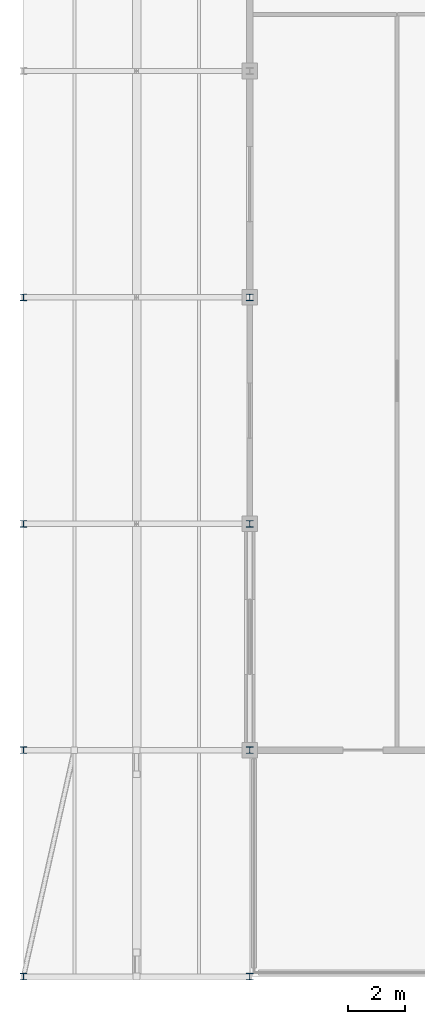
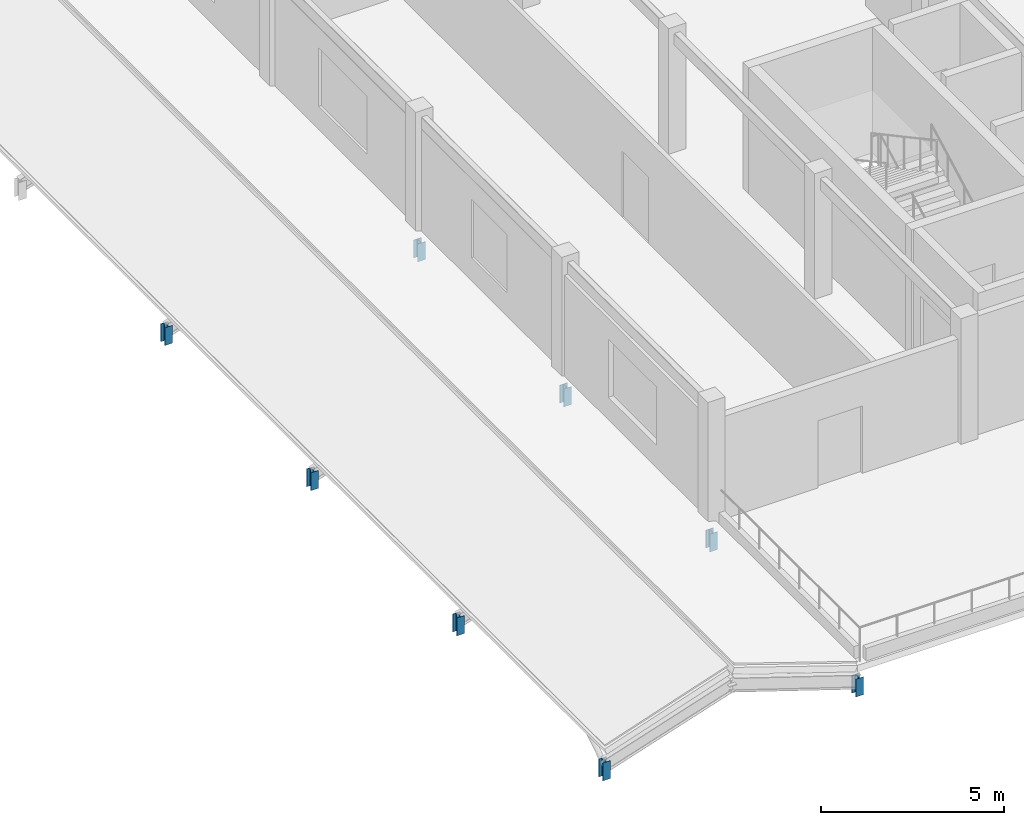
# One storey, part 2 of 9: 8 members.
"""IFC4 building model written with IfcOpenShell, lengths in metres."""

import ifcopenshell
import ifcopenshell.guid

model = None  # the IFC model being written
_history = None  # IfcOwnerHistory: only IFC2X3 demands one
_inside = {}  # id of a spatial element -> (the spatial element, [elements in it])
_under = {}  # id of a project, library or spatial element -> (it, [spatial elements below it])
_declared = {}  # id of a project -> (the project, [libraries it declares])
_typed = {}  # id of a type object -> (the type object, [elements of that type])
_made_of = {}  # id of a material, layer set ... -> (it, [elements and type objects made of it])


def new_model(schema):
    """Start an empty IFC model of exactly this schema.

    Asked for "IFC4X3", IfcOpenShell would pick the latest addendum, in which some entities
    have other attributes; the version numbers below select the first issue.
    IFC2X3 requires an IfcOwnerHistory on every rooted entity: one is made here for all.
    """
    global model, _history
    if schema == "IFC4X3":
        model = ifcopenshell.file(schema_version=(4, 3, 0, 0))
    else:
        model = ifcopenshell.file(schema=schema)
    _inside.clear()
    _under.clear()
    _declared.clear()
    _typed.clear()
    _made_of.clear()
    _history = None
    if model.schema == "IFC2X3":
        org = make("IfcOrganization", Name="unknown")
        user = make(
            "IfcPersonAndOrganization",
            ThePerson=make("IfcPerson", FamilyName="unknown"),
            TheOrganization=org,
        )
        app = make(
            "IfcApplication",
            ApplicationDeveloper=org,
            Version="unknown",
            ApplicationFullName="unknown",
            ApplicationIdentifier="unknown",
        )
        _history = make(
            "IfcOwnerHistory",
            OwningUser=user,
            OwningApplication=app,
            ChangeAction="ADDED",
            CreationDate=0,
        )
    return model


def make(cls, **values):
    """One entity of the class cls with the attributes given. An attribute that is None is left unset."""
    return model.create_entity(
        cls, **{name: value for name, value in values.items() if value is not None}
    )


def rooted(cls, **values):
    """An entity with a GlobalId (a new one), such as an element, a storey or a relation."""
    return make(cls, GlobalId=ifcopenshell.guid.new(), OwnerHistory=_history, **values)


def si_unit(unit_type, name, prefix=None):
    """IfcSIUnit, for example si_unit("LENGTHUNIT", "METRE", prefix="MILLI")."""
    return make("IfcSIUnit", UnitType=unit_type, Prefix=prefix, Name=name)


def assignment(units):
    """IfcUnitAssignment: the units of a project."""
    return None if units is None else make("IfcUnitAssignment", Units=units)


def point(xyz):
    """IfcCartesianPoint."""
    return None if xyz is None else make("IfcCartesianPoint", Coordinates=xyz)


def direction(xyz):
    """IfcDirection."""
    return None if xyz is None else make("IfcDirection", DirectionRatios=xyz)


def frame(location, z_axis=None, x_axis=None):
    """IfcAxis2Placement3D, a coordinate frame: its origin and axes. An axis left out is left unset."""
    return make(
        "IfcAxis2Placement3D",
        Location=point(location),
        Axis=direction(z_axis),
        RefDirection=direction(x_axis),
    )


def frame_2d(location, x_axis=None):
    """IfcAxis2Placement2D, a coordinate frame in the plane: its origin and x axis."""
    return make(
        "IfcAxis2Placement2D", Location=point(location), RefDirection=direction(x_axis)
    )


def origin():
    """The frame at (0, 0, 0) with its axes left unset."""
    return frame((0.0, 0.0, 0.0))


def origin_2d():
    """The frame at (0, 0) in the plane with its x axis left unset."""
    return frame_2d((0.0, 0.0))


def place(relative_to, where):
    """IfcLocalPlacement: puts the frame where relative to a parent placement (None: the world)."""
    return make(
        "IfcLocalPlacement", PlacementRelTo=relative_to, RelativePlacement=where
    )


def context(
    kind, dimensions, precision=None, world=None, true_north=None, identifier=None
):
    """IfcGeometricRepresentationContext, for example the 3D "Model" context."""
    return make(
        "IfcGeometricRepresentationContext",
        ContextIdentifier=identifier,
        ContextType=kind,
        CoordinateSpaceDimension=dimensions,
        Precision=precision,
        WorldCoordinateSystem=world,
        TrueNorth=true_north,
    )


def subcontext(parent, identifier, kind, view, scale=None):
    """IfcGeometricRepresentationSubContext, for example "Body" below "Model"."""
    return make(
        "IfcGeometricRepresentationSubContext",
        ContextIdentifier=identifier,
        ContextType=kind,
        ParentContext=parent,
        TargetScale=scale,
        TargetView=view,
    )


def project(units=None, contexts=None):
    """IfcProject with its units and contexts."""
    return rooted(
        "IfcProject",
        Name="project",
        RepresentationContexts=contexts,
        UnitsInContext=assignment(units),
    )


def spatial(cls, under=None, at=None, **own):
    """A site, building, storey or space (cls), placed at a placement, below another one or the project."""
    s = rooted(cls, ObjectPlacement=at, **own)
    if under is not None:
        _under.setdefault(under.id(), (under, []))[1].append(s)
    return s


def profile(cls, at=None, kind="AREA", **sizes):
    """A parametric profile (cls). Its sizes go by their IFC names, for example OverallWidth=200.0."""
    return make(cls, ProfileType=kind, Position=at, **sizes)


def i_section(**sizes):
    """IfcIShapeProfileDef."""
    return profile("IfcIShapeProfileDef", **sizes)


def extrude(swept, where, along, depth):
    """IfcExtrudedAreaSolid: the profile swept, set in the frame where, extruded along a direction by depth."""
    return make(
        "IfcExtrudedAreaSolid",
        SweptArea=swept,
        Position=where,
        ExtrudedDirection=direction(along),
        Depth=depth,
    )


def shape(context_of_items, identifier, shape_type, items):
    """IfcShapeRepresentation: the items that make up one representation, for example the "Body"."""
    return make(
        "IfcShapeRepresentation",
        ContextOfItems=context_of_items,
        RepresentationIdentifier=identifier,
        RepresentationType=shape_type,
        Items=items,
    )


def material(Name=None, Category=None):
    """IfcMaterial."""
    return make("IfcMaterial", Name=Name, Category=Category)


def material_profile(
    of_material, cross_section, Name=None, Category=None, Priority=None
):
    """IfcMaterialProfile: a cross section and its material."""
    return make(
        "IfcMaterialProfile",
        Name=Name,
        Material=of_material,
        Profile=cross_section,
        Priority=Priority,
        Category=Category,
    )


def profile_set(profiles, Name=None, composite=None):
    """IfcMaterialProfileSet."""
    return make(
        "IfcMaterialProfileSet",
        Name=Name,
        MaterialProfiles=profiles,
        CompositeProfile=composite,
    )


def made_of(thing, what):
    """Note that an element or type object is made of a material, layer set ...; save() writes the relation."""
    if what is not None:
        _made_of.setdefault(what.id(), (what, []))[1].append(thing)
    return thing


def type_object(cls, material=None, **own):
    """A type object (cls), such as IfcWallType, which elements share."""
    return made_of(rooted(cls, **own), material)


def element(
    cls,
    number,
    at=None,
    inside=None,
    cuts=None,
    type_object=None,
    material=None,
    context=None,
    identifier="Body",
    shape_type=None,
    held_by="IfcProductDefinitionShape",
    body=None,
    shapes=None,
    **own,
):
    """One element of the class cls, such as IfcWall. Its Tag is "e" and its number.

    at: its placement. inside: the storey or other place that contains it. cuts: it is an
    opening in that element (IfcRelVoidsElement). A single representation is given by context,
    identifier, shape_type and body (its items); several are given by shapes. held_by: the class
    of the entity that holds the representations. save() writes the other relations.
    """
    e = rooted(cls, Tag="e%d" % number, ObjectPlacement=at, **own)
    if body is not None:
        shapes = [shape(context, identifier, shape_type, body)]
    if shapes is not None:
        e.Representation = make(held_by, Representations=shapes)
    if inside is not None:
        _inside.setdefault(inside.id(), (inside, []))[1].append(e)
    if cuts is not None:
        rooted(
            "IfcRelVoidsElement", RelatingBuildingElement=cuts, RelatedOpeningElement=e
        )
    if type_object is not None:
        _typed.setdefault(type_object.id(), (type_object, []))[1].append(e)
    return made_of(e, material)


def aggregate(whole, parts):
    """IfcRelAggregates: a whole, such as a stair, and the parts it consists of."""
    return rooted("IfcRelAggregates", RelatingObject=whole, RelatedObjects=parts)


def save(model, path):
    """Write the relations noted so far, then the file.

    IfcRelAggregates (storeys below a building ...), IfcRelContainedInSpatialStructure (elements
    in a storey), IfcRelDefinesByType, IfcRelAssociatesMaterial and IfcRelDeclares: one each for
    every whole, place, type object, material and project.
    """
    for whole, parts in _under.values():
        aggregate(whole, parts)
    for where, things in _inside.values():
        rooted(
            "IfcRelContainedInSpatialStructure",
            RelatedElements=things,
            RelatingStructure=where,
        )
    for kind, things in _typed.values():
        rooted("IfcRelDefinesByType", RelatedObjects=things, RelatingType=kind)
    for what, things in _made_of.values():
        rooted("IfcRelAssociatesMaterial", RelatedObjects=things, RelatingMaterial=what)
    for by, libraries in _declared.values():
        rooted("IfcRelDeclares", RelatingContext=by, RelatedDefinitions=libraries)
    model.write(path)


model = new_model("IFC4")

# Units and contexts
model_context = context("Model", 3, precision=1e-05, world=origin(), true_north=direction((0.0, 1.0)))
body_context = subcontext(model_context, "Body", "Model", "MODEL_VIEW")
ifc_project = project(units=[si_unit("LENGTHUNIT", "METRE"), si_unit("AREAUNIT", "SQUARE_METRE"), si_unit("VOLUMEUNIT", "CUBIC_METRE"), si_unit("PLANEANGLEUNIT", "RADIAN"), si_unit("MASSUNIT", "GRAM", prefix="KILO")], contexts=[model_context])

# Site, building, storey
site_placement = place(None, origin())
site = spatial("IfcSite", under=ifc_project, at=site_placement, CompositionType="ELEMENT")
building_placement = place(site_placement, origin())
building = spatial("IfcBuilding", under=site, at=building_placement, Name="Kenh Van Central Station", CompositionType="ELEMENT")
storey_placement = place(building_placement, frame((0.0, 0.0, 23.39990234375)))
storey = spatial("IfcBuildingStorey", under=building, at=storey_placement, Name="L05", CompositionType="ELEMENT", Elevation=23.39990234375)

# Members
ifc_material = material(Name="Steel S355", Category="steel")
ifc_material_profile = material_profile(ifc_material, i_section(OverallWidth=0.239990234375, OverallDepth=0.22998046875, WebThickness=0.007568359375, FlangeThickness=0.011962890625, FilletRadius=0.02099609375, at=origin_2d()), Name="HEA 240")
ifc_profile_set = profile_set([ifc_material_profile], Name="Steel S355")
member_type = type_object("IfcMemberType", Name="MEM-ROOF-POST240", PredefinedType="POST", material=ifc_profile_set)
for number, where, z_axis, x_axis, name in (
    (1, (136.0, 16.0, -0.949951171875), (0.0, 0.0, 1.0), (1.0, 0.0, 0.0), "L05 roof eave post 188"),
    (2, (144.0, 16.0, -0.949951171875), (0.0, 0.0, 1.0), (1.0, 0.0, 0.0), "L05 roof eave post 188"),
    (3, (136.0, 24.0, -0.949951171875), (0.0, 0.0, 1.0), (1.0, 0.0, 0.0), "L05 roof eave post 190"),
    (4, (144.0, 24.0, -0.949951171875), (0.0, 0.0, 1.0), (1.0, 0.0, 0.0), "L05 roof eave post 190"),
    (5, (136.0, 32.0, -0.949951171875), (0.0, 0.0, 1.0), (1.0, 0.0, 0.0), "L05 roof eave post 192"),
    (6, (144.0, 32.0, -0.949951171875), (0.0, 0.0, 1.0), (1.0, 0.0, 0.0), "L05 roof eave post 192"),
    (7, (136.0, 40.0, -0.949951171875), (0.0, 0.0, 1.0), (1.0, 0.0, 0.0), "L05 roof eave post 194"),
    (8, (144.0, 40.0, -0.949951171875), (0.0, 0.0, 1.0), (1.0, 0.0, 0.0), "L05 roof eave post 194"),
):
    element("IfcMember", number, at=place(storey_placement, frame(where, z_axis=z_axis, x_axis=x_axis)), inside=storey, type_object=member_type, Name=name, PredefinedType="POST", context=body_context, shape_type="SweptSolid", body=[
        extrude(i_section(OverallWidth=0.239990234375, OverallDepth=0.22998046875, WebThickness=0.007568359375, FlangeThickness=0.011962890625, FilletRadius=0.02099609375, at=origin_2d()), origin(), (0.0, 0.0, 1.0), 0.5966796875),
    ])

save(model, "model.ifc")
